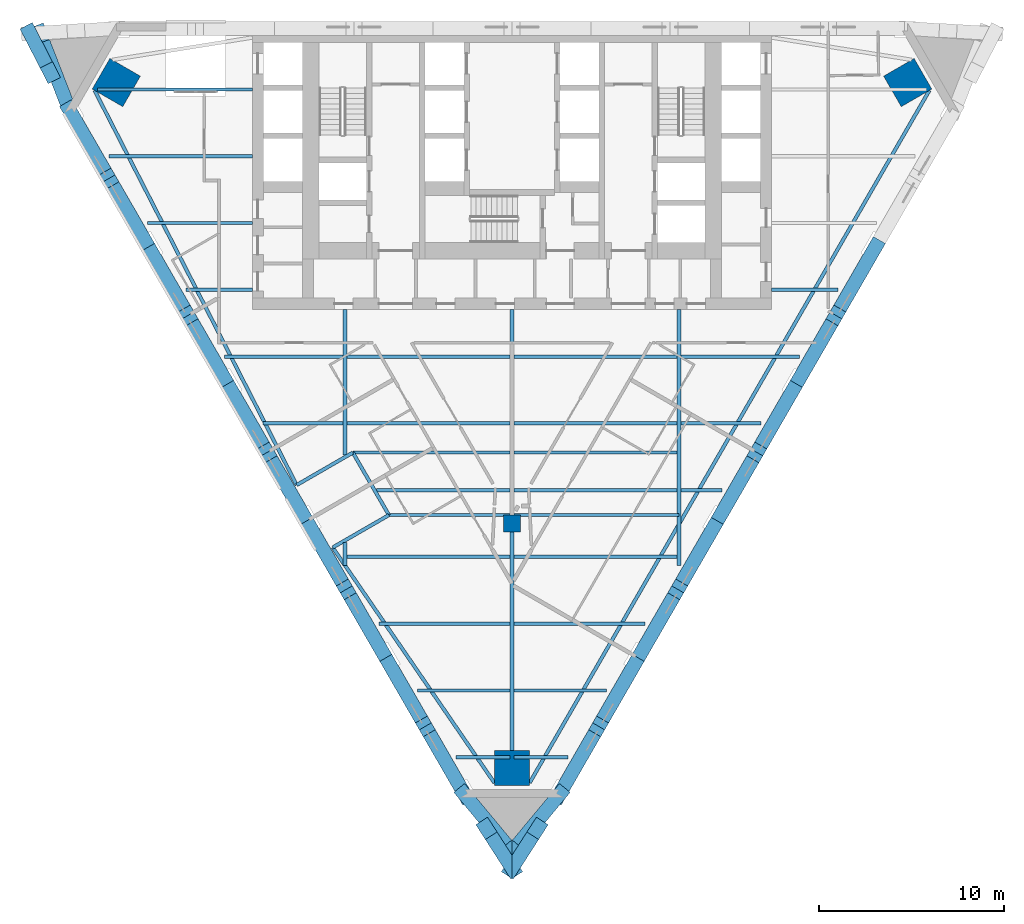
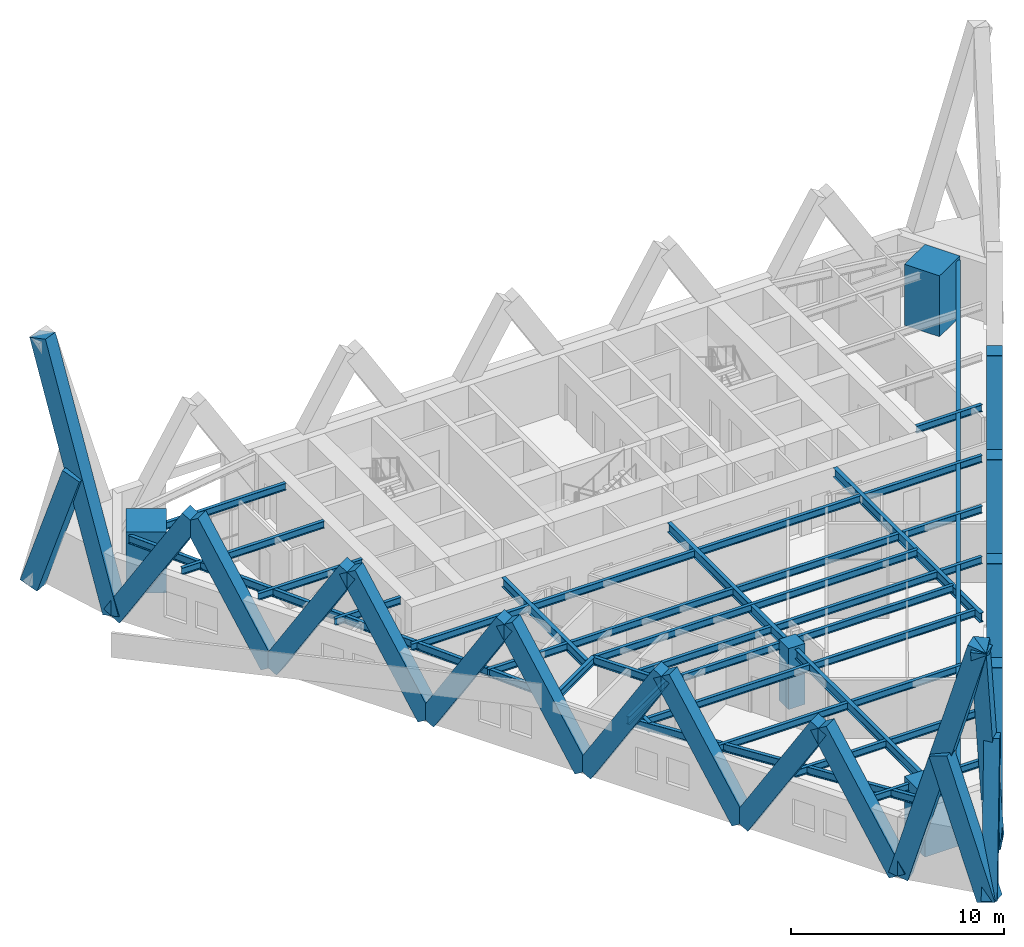
# One storey, part 1 of 11: 37 beams, 24 members, 4 columns.
"""IFC4 building model written with IfcOpenShell, lengths in metres."""

from ifc_helpers import new_model, si_unit, direction, frame, origin, origin_2d, place, context, subcontext, project, spatial, rectangle, i_section, extrude, material, material_profile, profile_set, type_object, element, save


model = new_model("IFC4")

# Units and contexts
model_context = context("Model", 3, precision=1e-05, world=origin(), true_north=direction((0.0, 1.0)))
body_context = subcontext(model_context, "Body", "Model", "MODEL_VIEW")
ifc_project = project(units=[si_unit("LENGTHUNIT", "METRE"), si_unit("AREAUNIT", "SQUARE_METRE"), si_unit("VOLUMEUNIT", "CUBIC_METRE"), si_unit("PLANEANGLEUNIT", "RADIAN"), si_unit("MASSUNIT", "GRAM", prefix="KILO")], contexts=[model_context])

# Site, building, storey
site_placement = place(None, origin())
site = spatial("IfcSite", under=ifc_project, at=site_placement, CompositionType="ELEMENT")
building_placement = place(site_placement, origin())
building = spatial("IfcBuilding", under=site, at=building_placement, Name="Aloe Facet Convention Tower", CompositionType="ELEMENT")
storey_placement = place(building_placement, frame((0.0, 0.0, 95.800048828125)))
storey = spatial("IfcBuildingStorey", under=building, at=storey_placement, Name="L23", CompositionType="ELEMENT", Elevation=95.800048828125)

# Columns
ifc_material_1 = material(Name="Concrete C70/85", Category="concrete")
ifc_material_profile_1 = material_profile(ifc_material_1, rectangle(XDim=0.89990234375, YDim=0.89990234375, at=origin_2d()), Name="SF-GC-Z2")
ifc_profile_set_1 = profile_set([ifc_material_profile_1], Name="Concrete C70/85")
column_type_1 = type_object("IfcColumnType", Name="SF-GC-Z2", PredefinedType="COLUMN", material=ifc_profile_set_1)
column_placement = place(storey_placement, frame((80.0, 108.0, 0.0), z_axis=(0.0, 0.0, 1.0), x_axis=(1.0, 0.0, 0.0)))
element("IfcColumn", 1, at=column_placement, inside=storey, type_object=column_type_1, Name="Gravity column GC-Z2-9D", PredefinedType="COLUMN", context=body_context, shape_type="SweptSolid", body=[
    extrude(rectangle(XDim=0.89990234375, YDim=0.89990234375, at=origin_2d()), origin(), (0.0, 0.0, 1.0), 3.5),
])
ifc_material_2 = material(Name="Concrete C80/95", Category="concrete")
ifc_material_profile_2 = material_profile(ifc_material_2, rectangle(XDim=1.89990234375, YDim=1.89990234375, at=origin_2d()), Name="STW-MC-Z2")
ifc_profile_set_2 = profile_set([ifc_material_profile_2], Name="Concrete C80/95")
column_type_2 = type_object("IfcColumnType", Name="STW-MC-Z2", PredefinedType="COLUMN", material=ifc_profile_set_2)
for number, where, z_axis, x_axis, name in (
    (2, (101.3359375, 131.775146484375, 0.0), (0.0, 0.0, 1.0), (-0.5, 0.866025403784, 0.0), "Mega-column MC-NE-L23"),
    (3, (58.6640625, 131.775146484375, 0.0), (0.0, 0.0, 1.0), (-0.5, -0.866025403784, 0.0), "Mega-column MC-NW-L23"),
    (4, (80.0, 94.8203125, 0.0), (0.0, 0.0, 1.0), (1.0, 0.0, 0.0), "Mega-column MC-S-L23"),
):
    element("IfcColumn", number, at=place(storey_placement, frame(where, z_axis=z_axis, x_axis=x_axis)), inside=storey, type_object=column_type_2, Name=name, PredefinedType="COLUMN", context=body_context, shape_type="SweptSolid", body=[
        extrude(rectangle(XDim=1.89990234375, YDim=1.89990234375, at=origin_2d()), origin(), (0.0, 0.0, 1.0), 3.5),
    ])

# Beams
ifc_material_3 = material(Name="Steel S355", Category="steel")
ifc_material_profile_3 = material_profile(ifc_material_3, i_section(OverallWidth=0.177734375, OverallDepth=0.402587890625, WebThickness=0.0078125, FlangeThickness=0.010986328125, FilletRadius=0.01025390625, at=origin_2d()), Name="UB 406x178x54")
ifc_profile_set_3 = profile_set([ifc_material_profile_3], Name="Steel S355")
beam_type_1 = type_object("IfcBeamType", Name="SF-B-UB406x178x54", PredefinedType="BEAM", material=ifc_profile_set_3)
beam_1_placement = place(storey_placement, frame((57.6376953125, 131.39990234375, 3.148681640625), z_axis=(1.0, 0.0, 0.0), x_axis=(0.0, 1.0, 0.0)))
element("IfcBeam", 5, at=beam_1_placement, inside=storey, type_object=beam_type_1, Name="Floor beam FB-Z2E-014", PredefinedType="BEAM", context=body_context, shape_type="SweptSolid", body=[
    extrude(i_section(OverallWidth=0.177734375, OverallDepth=0.402587890625, WebThickness=0.0078125, FlangeThickness=0.010986328125, FilletRadius=0.01025390625, at=origin_2d()), origin(), (0.0, 0.0, 1.0), 8.3623046875),
])
beam_2_placement = place(storey_placement, frame((58.27294921875, 127.800048828125, 3.148681640625), z_axis=(1.0, 0.0, 0.0), x_axis=(0.0, 1.0, 0.0)))
element("IfcBeam", 6, at=beam_2_placement, inside=storey, type_object=beam_type_1, Name="Floor beam FB-Z2E-015", PredefinedType="BEAM", context=body_context, shape_type="SweptSolid", body=[
    extrude(i_section(OverallWidth=0.177734375, OverallDepth=0.402587890625, WebThickness=0.0078125, FlangeThickness=0.010986328125, FilletRadius=0.01025390625, at=origin_2d()), origin(), (0.0, 0.0, 1.0), 7.72705078125),
])
beam_3_placement = place(storey_placement, frame((60.351318359375, 124.199951171875, 3.148681640625), z_axis=(1.0, 0.0, 0.0), x_axis=(0.0, 1.0, 0.0)))
element("IfcBeam", 7, at=beam_3_placement, inside=storey, type_object=beam_type_1, Name="Floor beam FB-Z2E-016", PredefinedType="BEAM", context=body_context, shape_type="SweptSolid", body=[
    extrude(i_section(OverallWidth=0.177734375, OverallDepth=0.402587890625, WebThickness=0.0078125, FlangeThickness=0.010986328125, FilletRadius=0.01025390625, at=origin_2d()), origin(), (0.0, 0.0, 1.0), 5.648681640625),
])
beam_4_placement = place(storey_placement, frame((62.429931640625, 120.60009765625, 3.148681640625), z_axis=(1.0, 0.0, 0.0), x_axis=(0.0, 1.0, 0.0)))
element("IfcBeam", 8, at=beam_4_placement, inside=storey, type_object=beam_type_1, Name="Floor beam FB-Z2E-017", PredefinedType="BEAM", context=body_context, shape_type="SweptSolid", body=[
    extrude(i_section(OverallWidth=0.177734375, OverallDepth=0.402587890625, WebThickness=0.0078125, FlangeThickness=0.010986328125, FilletRadius=0.01025390625, at=origin_2d()), origin(), (0.0, 0.0, 1.0), 3.570068359375),
])
beam_5_placement = place(storey_placement, frame((64.50830078125, 117.0, 3.148681640625), z_axis=(1.0, 0.0, 0.0), x_axis=(0.0, 1.0, 0.0)))
element("IfcBeam", 9, at=beam_5_placement, inside=storey, type_object=beam_type_1, Name="Floor beam FB-Z2E-018", PredefinedType="BEAM", context=body_context, shape_type="SweptSolid", body=[
    extrude(i_section(OverallWidth=0.177734375, OverallDepth=0.402587890625, WebThickness=0.0078125, FlangeThickness=0.010986328125, FilletRadius=0.01025390625, at=origin_2d()), origin(), (0.0, 0.0, 1.0), 6.38623046875),
])
beam_6_placement = place(storey_placement, frame((66.5869140625, 113.39990234375, 3.148681640625), z_axis=(1.0, 0.0, 0.0), x_axis=(0.0, 1.0, 0.0)))
element("IfcBeam", 10, at=beam_6_placement, inside=storey, type_object=beam_type_1, Name="Floor beam FB-Z2E-019", PredefinedType="BEAM", context=body_context, shape_type="SweptSolid", body=[
    extrude(i_section(OverallWidth=0.177734375, OverallDepth=0.402587890625, WebThickness=0.0078125, FlangeThickness=0.010986328125, FilletRadius=0.01025390625, at=origin_2d()), origin(), (0.0, 0.0, 1.0), 4.3076171875),
])
for number, where, z_axis, x_axis, name in (
    (11, (71.10546875, 106.199951171875, 3.148681640625), (1.0, 0.0, 0.0), (0.0, 1.0, 0.0), "Floor beam FB-Z2E-020"),
    (12, (71.10546875, 113.39990234375, 3.148681640625), (1.0, 0.0, 0.0), (0.0, 1.0, 0.0), "Floor beam FB-Z2E-021"),
    (13, (71.10546875, 117.0, 3.148681640625), (1.0, 0.0, 0.0), (0.0, 1.0, 0.0), "Floor beam FB-Z2E-022"),
):
    element("IfcBeam", number, at=place(storey_placement, frame(where, z_axis=z_axis, x_axis=x_axis)), inside=storey, type_object=beam_type_1, Name=name, PredefinedType="BEAM", context=body_context, shape_type="SweptSolid", body=[
        extrude(i_section(OverallWidth=0.177734375, OverallDepth=0.402587890625, WebThickness=0.0078125, FlangeThickness=0.010986328125, FilletRadius=0.01025390625, at=origin_2d()), origin(), (0.0, 0.0, 1.0), 8.7890625),
    ])
beam_7_placement = place(storey_placement, frame((71.41845703125, 111.82421875, 3.148681640625), z_axis=(1.0, 0.0, 0.0), x_axis=(0.0, 1.0, 0.0)))
element("IfcBeam", 14, at=beam_7_placement, inside=storey, type_object=beam_type_1, Name="Floor beam FB-Z2E-023", PredefinedType="BEAM", context=body_context, shape_type="SweptSolid", body=[
    extrude(i_section(OverallWidth=0.177734375, OverallDepth=0.402587890625, WebThickness=0.0078125, FlangeThickness=0.010986328125, FilletRadius=0.01025390625, at=origin_2d()), origin(), (0.0, 0.0, 1.0), 17.58154296875),
])
beam_8_placement = place(storey_placement, frame((72.706787109375, 109.800048828125, 3.148681640625), z_axis=(1.0, 0.0, 0.0), x_axis=(0.0, 1.0, 0.0)))
element("IfcBeam", 15, at=beam_8_placement, inside=storey, type_object=beam_type_1, Name="Floor beam FB-Z2E-024", PredefinedType="BEAM", context=body_context, shape_type="SweptSolid", body=[
    extrude(i_section(OverallWidth=0.177734375, OverallDepth=0.402587890625, WebThickness=0.0078125, FlangeThickness=0.010986328125, FilletRadius=0.01025390625, at=origin_2d()), origin(), (0.0, 0.0, 1.0), 7.187744140625),
])
beam_9_placement = place(storey_placement, frame((72.822265625, 102.60009765625, 3.148681640625), z_axis=(1.0, 0.0, 0.0), x_axis=(0.0, 1.0, 0.0)))
element("IfcBeam", 16, at=beam_9_placement, inside=storey, type_object=beam_type_1, Name="Floor beam FB-Z2E-025", PredefinedType="BEAM", context=body_context, shape_type="SweptSolid", body=[
    extrude(i_section(OverallWidth=0.177734375, OverallDepth=0.402587890625, WebThickness=0.0078125, FlangeThickness=0.010986328125, FilletRadius=0.01025390625, at=origin_2d()), origin(), (0.0, 0.0, 1.0), 7.072265625),
])
beam_10_placement = place(storey_placement, frame((73.36328125, 108.455322265625, 3.148681640625), z_axis=(1.0, 0.0, 0.0), x_axis=(0.0, 1.0, 0.0)))
element("IfcBeam", 17, at=beam_10_placement, inside=storey, type_object=beam_type_1, Name="Floor beam FB-Z2E-026", PredefinedType="BEAM", context=body_context, shape_type="SweptSolid", body=[
    extrude(i_section(OverallWidth=0.177734375, OverallDepth=0.402587890625, WebThickness=0.0078125, FlangeThickness=0.010986328125, FilletRadius=0.01025390625, at=origin_2d()), origin(), (0.0, 0.0, 1.0), 15.63671875),
])
beam_11_placement = place(storey_placement, frame((74.900634765625, 99.0, 3.148681640625), z_axis=(1.0, 0.0, 0.0), x_axis=(0.0, 1.0, 0.0)))
element("IfcBeam", 18, at=beam_11_placement, inside=storey, type_object=beam_type_1, Name="Floor beam FB-Z2E-027", PredefinedType="BEAM", context=body_context, shape_type="SweptSolid", body=[
    extrude(i_section(OverallWidth=0.177734375, OverallDepth=0.402587890625, WebThickness=0.0078125, FlangeThickness=0.010986328125, FilletRadius=0.01025390625, at=origin_2d()), origin(), (0.0, 0.0, 1.0), 4.993896484375),
])
for number, where, z_axis, x_axis, name in (
    (19, (76.97900390625, 95.39990234375, 3.148681640625), (1.0, 0.0, 0.0), (0.0, 1.0, 0.0), "Floor beam FB-Z2E-028"),
    (20, (80.10546875, 95.39990234375, 3.148681640625), (1.0, 0.0, 0.0), (0.0, 1.0, 0.0), "Floor beam FB-Z2E-029"),
):
    element("IfcBeam", number, at=place(storey_placement, frame(where, z_axis=z_axis, x_axis=x_axis)), inside=storey, type_object=beam_type_1, Name=name, PredefinedType="BEAM", context=body_context, shape_type="SweptSolid", body=[
        extrude(i_section(OverallWidth=0.177734375, OverallDepth=0.402587890625, WebThickness=0.0078125, FlangeThickness=0.010986328125, FilletRadius=0.01025390625, at=origin_2d()), origin(), (0.0, 0.0, 1.0), 2.91552734375),
    ])
beam_12_placement = place(storey_placement, frame((80.10546875, 99.0, 3.148681640625), z_axis=(1.0, 0.0, 0.0), x_axis=(0.0, 1.0, 0.0)))
element("IfcBeam", 21, at=beam_12_placement, inside=storey, type_object=beam_type_1, Name="Floor beam FB-Z2E-030", PredefinedType="BEAM", context=body_context, shape_type="SweptSolid", body=[
    extrude(i_section(OverallWidth=0.177734375, OverallDepth=0.402587890625, WebThickness=0.0078125, FlangeThickness=0.010986328125, FilletRadius=0.01025390625, at=origin_2d()), origin(), (0.0, 0.0, 1.0), 4.993896484375),
])
beam_13_placement = place(storey_placement, frame((80.10546875, 102.60009765625, 3.148681640625), z_axis=(1.0, 0.0, 0.0), x_axis=(0.0, 1.0, 0.0)))
element("IfcBeam", 22, at=beam_13_placement, inside=storey, type_object=beam_type_1, Name="Floor beam FB-Z2E-031", PredefinedType="BEAM", context=body_context, shape_type="SweptSolid", body=[
    extrude(i_section(OverallWidth=0.177734375, OverallDepth=0.402587890625, WebThickness=0.0078125, FlangeThickness=0.010986328125, FilletRadius=0.01025390625, at=origin_2d()), origin(), (0.0, 0.0, 1.0), 7.072265625),
])
for number, where, z_axis, x_axis, name in (
    (23, (80.10546875, 106.199951171875, 3.148681640625), (1.0, 0.0, 0.0), (0.0, 1.0, 0.0), "Floor beam FB-Z2E-032"),
    (24, (80.10546875, 109.800048828125, 3.148681640625), (1.0, 0.0, 0.0), (0.0, 1.0, 0.0), "Floor beam FB-Z2E-033"),
    (25, (80.10546875, 113.39990234375, 3.148681640625), (1.0, 0.0, 0.0), (0.0, 1.0, 0.0), "Floor beam FB-Z2E-034"),
    (26, (80.10546875, 117.0, 3.148681640625), (1.0, 0.0, 0.0), (0.0, 1.0, 0.0), "Floor beam FB-Z2E-035"),
):
    element("IfcBeam", number, at=place(storey_placement, frame(where, z_axis=z_axis, x_axis=x_axis)), inside=storey, type_object=beam_type_1, Name=name, PredefinedType="BEAM", context=body_context, shape_type="SweptSolid", body=[
        extrude(i_section(OverallWidth=0.177734375, OverallDepth=0.402587890625, WebThickness=0.0078125, FlangeThickness=0.010986328125, FilletRadius=0.01025390625, at=origin_2d()), origin(), (0.0, 0.0, 1.0), 8.7890625),
    ])
beam_14_placement = place(storey_placement, frame((89.10546875, 109.800048828125, 3.148681640625), z_axis=(1.0, 0.0, 0.0), x_axis=(0.0, 1.0, 0.0)))
element("IfcBeam", 27, at=beam_14_placement, inside=storey, type_object=beam_type_1, Name="Floor beam FB-Z2E-036", PredefinedType="BEAM", context=body_context, shape_type="SweptSolid", body=[
    extrude(i_section(OverallWidth=0.177734375, OverallDepth=0.402587890625, WebThickness=0.0078125, FlangeThickness=0.010986328125, FilletRadius=0.01025390625, at=origin_2d()), origin(), (0.0, 0.0, 1.0), 2.229248046875),
])
beam_15_placement = place(storey_placement, frame((89.10546875, 113.39990234375, 3.148681640625), z_axis=(1.0, 0.0, 0.0), x_axis=(0.0, 1.0, 0.0)))
element("IfcBeam", 28, at=beam_15_placement, inside=storey, type_object=beam_type_1, Name="Floor beam FB-Z2E-037", PredefinedType="BEAM", context=body_context, shape_type="SweptSolid", body=[
    extrude(i_section(OverallWidth=0.177734375, OverallDepth=0.402587890625, WebThickness=0.0078125, FlangeThickness=0.010986328125, FilletRadius=0.01025390625, at=origin_2d()), origin(), (0.0, 0.0, 1.0), 4.3076171875),
])
beam_16_placement = place(storey_placement, frame((89.10546875, 117.0, 3.148681640625), z_axis=(1.0, 0.0, 0.0), x_axis=(0.0, 1.0, 0.0)))
element("IfcBeam", 29, at=beam_16_placement, inside=storey, type_object=beam_type_1, Name="Floor beam FB-Z2E-038", PredefinedType="BEAM", context=body_context, shape_type="SweptSolid", body=[
    extrude(i_section(OverallWidth=0.177734375, OverallDepth=0.402587890625, WebThickness=0.0078125, FlangeThickness=0.010986328125, FilletRadius=0.01025390625, at=origin_2d()), origin(), (0.0, 0.0, 1.0), 6.38623046875),
])
beam_17_placement = place(storey_placement, frame((94.0, 120.60009765625, 3.148681640625), z_axis=(1.0, 0.0, 0.0), x_axis=(0.0, 1.0, 0.0)))
element("IfcBeam", 30, at=beam_17_placement, inside=storey, type_object=beam_type_1, Name="Floor beam FB-Z2E-039", PredefinedType="BEAM", context=body_context, shape_type="SweptSolid", body=[
    extrude(i_section(OverallWidth=0.177734375, OverallDepth=0.402587890625, WebThickness=0.0078125, FlangeThickness=0.010986328125, FilletRadius=0.01025390625, at=origin_2d()), origin(), (0.0, 0.0, 1.0), 3.570068359375),
])
ifc_material_4 = material(Name="Steel S355", Category="steel")
ifc_material_profile_4 = material_profile(ifc_material_4, i_section(OverallWidth=0.18994140625, OverallDepth=0.453369140625, WebThickness=0.008544921875, FlangeThickness=0.0126953125, FilletRadius=0.01025390625, at=origin_2d()), Name="UB 457x191x67")
ifc_profile_set_4 = profile_set([ifc_material_profile_4], Name="Steel S355")
beam_type_2 = type_object("IfcBeamType", Name="SF-B-UB457x191x67", PredefinedType="BEAM", material=ifc_profile_set_4)
beam_18_placement = place(storey_placement, frame((68.387451171875, 110.07421875, 3.123291015625), z_axis=(-0.45573025234, 0.890117934379, 0.0), x_axis=(-0.890117934379, -0.45573025234, 0.0)))
element("IfcBeam", 31, at=beam_18_placement, inside=storey, type_object=beam_type_2, Name="Floor beam FB-Z2E-002", PredefinedType="BEAM", context=body_context, shape_type="SweptSolid", body=[
    extrude(i_section(OverallWidth=0.18994140625, OverallDepth=0.453369140625, WebThickness=0.008544921875, FlangeThickness=0.0126953125, FilletRadius=0.01025390625, at=origin_2d()), origin(), (0.0, 0.0, 1.0), 23.90771484375),
])
beam_19_placement = place(storey_placement, frame((70.332275390625, 106.705322265625, 3.123291015625), z_axis=(0.866019471182, 0.500010275428, 0.0), x_axis=(-0.500010275428, 0.866019471182, 0.0)))
element("IfcBeam", 32, at=beam_19_placement, inside=storey, type_object=beam_type_2, Name="Floor beam FB-Z2E-003", PredefinedType="BEAM", context=body_context, shape_type="SweptSolid", body=[
    extrude(i_section(OverallWidth=0.18994140625, OverallDepth=0.453369140625, WebThickness=0.008544921875, FlangeThickness=0.0126953125, FilletRadius=0.01025390625, at=origin_2d()), origin(), (0.0, 0.0, 1.0), 3.5),
])
beam_20_placement = place(storey_placement, frame((70.332275390625, 106.705322265625, 3.123291015625), z_axis=(0.566231998303, -0.824245912394, 0.0), x_axis=(0.824245912394, 0.566231998303, 0.0)))
element("IfcBeam", 33, at=beam_20_placement, inside=storey, type_object=beam_type_2, Name="Floor beam FB-Z2E-004", PredefinedType="BEAM", context=body_context, shape_type="SweptSolid", body=[
    extrude(i_section(OverallWidth=0.18994140625, OverallDepth=0.453369140625, WebThickness=0.008544921875, FlangeThickness=0.0126953125, FilletRadius=0.01025390625, at=origin_2d()), origin(), (0.0, 0.0, 1.0), 15.39599609375),
])
beam_21_placement = place(storey_placement, frame((71.41845703125, 111.82421875, 3.123291015625), z_axis=(-0.866019471182, -0.500010275428, 0.0), x_axis=(0.500010275428, -0.866019471182, 0.0)))
element("IfcBeam", 34, at=beam_21_placement, inside=storey, type_object=beam_type_2, Name="Floor beam FB-Z2E-005", PredefinedType="BEAM", context=body_context, shape_type="SweptSolid", body=[
    extrude(i_section(OverallWidth=0.18994140625, OverallDepth=0.453369140625, WebThickness=0.008544921875, FlangeThickness=0.0126953125, FilletRadius=0.01025390625, at=origin_2d()), origin(), (0.0, 0.0, 1.0), 3.5),
])
beam_22_placement = place(storey_placement, frame((73.36328125, 108.455322265625, 3.123291015625), z_axis=(-0.499959689288, 0.866048675934, 0.0), x_axis=(-0.866048675934, -0.499959689288, 0.0)))
element("IfcBeam", 35, at=beam_22_placement, inside=storey, type_object=beam_type_2, Name="Floor beam FB-Z2E-006", PredefinedType="BEAM", context=body_context, shape_type="SweptSolid", body=[
    extrude(i_section(OverallWidth=0.18994140625, OverallDepth=0.453369140625, WebThickness=0.008544921875, FlangeThickness=0.0126953125, FilletRadius=0.01025390625, at=origin_2d()), origin(), (0.0, 0.0, 1.0), 3.889892578125),
])
beam_23_placement = place(storey_placement, frame((102.508056640625, 131.35498046875, 3.123291015625), z_axis=(-0.499998897659, -0.86602604022, 0.0), x_axis=(0.86602604022, -0.499998897659, 0.0)))
element("IfcBeam", 36, at=beam_23_placement, inside=storey, type_object=beam_type_2, Name="Floor beam FB-Z2E-008", PredefinedType="BEAM", context=body_context, shape_type="SweptSolid", body=[
    extrude(i_section(OverallWidth=0.18994140625, OverallDepth=0.453369140625, WebThickness=0.008544921875, FlangeThickness=0.0126953125, FilletRadius=0.01025390625, at=origin_2d()), origin(), (0.0, 0.0, 1.0), 43.1162109375),
])
ifc_material_5 = material(Name="Steel S355", Category="steel")
ifc_material_profile_5 = material_profile(ifc_material_5, i_section(OverallWidth=0.210693359375, OverallDepth=0.53955078125, WebThickness=0.01171875, FlangeThickness=0.018798828125, FilletRadius=0.0126953125, at=origin_2d()), Name="UB 533x210x109")
ifc_profile_set_5 = profile_set([ifc_material_profile_5], Name="Steel S355")
beam_type_3 = type_object("IfcBeamType", Name="SF-B-UB533x210x109", PredefinedType="BEAM", material=ifc_profile_set_5)
beam_24_placement = place(storey_placement, frame((71.0, 106.97119140625, 3.080078125), z_axis=(0.0, -1.0, 0.0), x_axis=(1.0, 0.0, 0.0)))
element("IfcBeam", 37, at=beam_24_placement, inside=storey, type_object=beam_type_3, Name="Floor beam FB-Z2E-009", PredefinedType="BEAM", context=body_context, shape_type="SweptSolid", body=[
    extrude(i_section(OverallWidth=0.210693359375, OverallDepth=0.53955078125, WebThickness=0.01171875, FlangeThickness=0.018798828125, FilletRadius=0.0126953125, at=origin_2d()), origin(), (0.0, 0.0, 1.0), 1.222412109375),
])
beam_25_placement = place(storey_placement, frame((71.0, 119.550048828125, 3.080078125), z_axis=(0.0, -1.0, 0.0), x_axis=(1.0, 0.0, 0.0)))
element("IfcBeam", 38, at=beam_25_placement, inside=storey, type_object=beam_type_3, Name="Floor beam FB-Z2E-010", PredefinedType="BEAM", context=body_context, shape_type="SweptSolid", body=[
    extrude(i_section(OverallWidth=0.210693359375, OverallDepth=0.53955078125, WebThickness=0.01171875, FlangeThickness=0.018798828125, FilletRadius=0.0126953125, at=origin_2d()), origin(), (0.0, 0.0, 1.0), 7.847900390625),
])
beam_26_placement = place(storey_placement, frame((80.0, 107.550048828125, 3.080078125), z_axis=(0.0, -1.0, 0.0), x_axis=(1.0, 0.0, 0.0)))
element("IfcBeam", 39, at=beam_26_placement, inside=storey, type_object=beam_type_3, Name="Floor beam FB-Z2E-011", PredefinedType="BEAM", context=body_context, shape_type="SweptSolid", body=[
    extrude(i_section(OverallWidth=0.210693359375, OverallDepth=0.53955078125, WebThickness=0.01171875, FlangeThickness=0.018798828125, FilletRadius=0.0126953125, at=origin_2d()), origin(), (0.0, 0.0, 1.0), 13.429931640625),
])
beam_27_placement = place(storey_placement, frame((80.0, 119.550048828125, 3.080078125), z_axis=(0.0, -1.0, 0.0), x_axis=(1.0, 0.0, 0.0)))
element("IfcBeam", 40, at=beam_27_placement, inside=storey, type_object=beam_type_3, Name="Floor beam FB-Z2E-012", PredefinedType="BEAM", context=body_context, shape_type="SweptSolid", body=[
    extrude(i_section(OverallWidth=0.210693359375, OverallDepth=0.53955078125, WebThickness=0.01171875, FlangeThickness=0.018798828125, FilletRadius=0.0126953125, at=origin_2d()), origin(), (0.0, 0.0, 1.0), 11.10009765625),
])
beam_28_placement = place(storey_placement, frame((89.0, 119.550048828125, 3.080078125), z_axis=(0.0, -1.0, 0.0), x_axis=(1.0, 0.0, 0.0)))
element("IfcBeam", 41, at=beam_28_placement, inside=storey, type_object=beam_type_3, Name="Floor beam FB-Z2E-013", PredefinedType="BEAM", context=body_context, shape_type="SweptSolid", body=[
    extrude(i_section(OverallWidth=0.210693359375, OverallDepth=0.53955078125, WebThickness=0.01171875, FlangeThickness=0.018798828125, FilletRadius=0.0126953125, at=origin_2d()), origin(), (0.0, 0.0, 1.0), 13.80126953125),
])

# Members
ifc_material_6 = material(Name="Concrete C60/75, bronze oxide finish", Category="concrete")
ifc_material_profile_6 = material_profile(ifc_material_6, rectangle(XDim=0.75, YDim=1.0, at=origin_2d()), Name="STW-LM")
ifc_profile_set_6 = profile_set([ifc_material_profile_6], Name="Concrete C60/75, bronze oxide finish")
member_type = type_object("IfcMemberType", Name="STW-LM", PredefinedType="BRACE", material=ifc_profile_set_6)
member_1_placement = place(storey_placement, frame((56.13818359375, 130.30029296875, 0.0), z_axis=(0.260144200438, -0.450561177013, 0.854002119873), x_axis=(0.866014930446, 0.500018139916, 0.0)))
element("IfcMember", 42, at=member_1_placement, inside=storey, type_object=member_type, Name="Lattice member LM-Z2-F2-R2-01", PredefinedType="BRACE", context=body_context, shape_type="SweptSolid", body=[
    extrude(rectangle(XDim=0.75, YDim=1.0, at=origin_2d()), origin(), (0.0, 0.0, 1.0), 8.19677734375),
])
for number, where, z_axis, x_axis, name in (
    (43, (60.402587890625, 122.914306640625, 0.0), (-0.26011992139, 0.45054092877, 0.854020197653), (-0.866025408043, -0.499999992624, 0.0), "Lattice member LM-Z2-F2-R2-02"),
    (44, (60.402587890625, 122.914306640625, 0.0), (0.260116430601, -0.450564668007, 0.854008736768), (0.866039720501, 0.4999752019, 0.0), "Lattice member LM-Z2-F2-R2-03"),
    (45, (64.6669921875, 115.5283203125, 0.0), (-0.260147691546, 0.450537437867, 0.854013580491), (-0.866000615939, -0.500042931351, 0.0), "Lattice member LM-Z2-F2-R2-04"),
    (46, (64.6669921875, 115.5283203125, 0.0), (0.260116430601, -0.450564668007, 0.854008736768), (0.866039720501, 0.4999752019, 0.0), "Lattice member LM-Z2-F2-R2-05"),
    (47, (68.93115234375, 108.142333984375, 0.0), (-0.26011992139, 0.45054092877, 0.854020197653), (-0.866025408043, -0.499999992624, 0.0), "Lattice member LM-Z2-F2-R2-06"),
    (48, (68.93115234375, 108.142333984375, 0.0), (0.260116430601, -0.450564668007, 0.854008736768), (0.866039720501, 0.4999752019, 0.0), "Lattice member LM-Z2-F2-R2-07"),
    (49, (73.195556640625, 100.75634765625, 0.0), (-0.260147691546, 0.450537437867, 0.854013580491), (-0.866000615939, -0.500042931351, 0.0), "Lattice member LM-Z2-F2-R2-08"),
    (50, (73.195556640625, 100.75634765625, 0.0), (0.260116430601, -0.450564668007, 0.854008736768), (0.866039720501, 0.4999752019, 0.0), "Lattice member LM-Z2-F2-R2-09"),
    (51, (77.459716796875, 93.370361328125, 0.0), (-0.26011992139, 0.45054092877, 0.854020197653), (-0.866025408043, -0.499999992624, 0.0), "Lattice member LM-Z2-F2-R2-10"),
    (52, (82.540283203125, 93.370361328125, 0.0), (0.26011992139, 0.45054092877, 0.854020197653), (-0.866025408043, 0.499999992624, 0.0), "Lattice member LM-Z2-F3-R2-01"),
    (53, (86.804443359375, 100.75634765625, 0.0), (-0.260116430601, -0.450564668007, 0.854008736768), (0.866039720501, -0.4999752019, 0.0), "Lattice member LM-Z2-F3-R2-02"),
    (54, (86.804443359375, 100.75634765625, 0.0), (0.260147691546, 0.450537437867, 0.854013580491), (-0.866000615939, 0.500042931351, 0.0), "Lattice member LM-Z2-F3-R2-03"),
    (55, (91.06884765625, 108.142333984375, 0.0), (-0.260116430601, -0.450564668007, 0.854008736768), (0.866039720501, -0.4999752019, 0.0), "Lattice member LM-Z2-F3-R2-04"),
    (56, (91.06884765625, 108.142333984375, 0.0), (0.26011992139, 0.45054092877, 0.854020197653), (-0.866025408043, 0.499999992624, 0.0), "Lattice member LM-Z2-F3-R2-05"),
    (57, (95.3330078125, 115.5283203125, 0.0), (-0.260116430601, -0.450564668007, 0.854008736768), (0.866039720501, -0.4999752019, 0.0), "Lattice member LM-Z2-F3-R2-06"),
    (58, (95.3330078125, 115.5283203125, 0.0), (0.260147691546, 0.450537437867, 0.854013580491), (-0.866000615939, 0.500042931351, 0.0), "Lattice member LM-Z2-F3-R2-07"),
    (59, (99.597412109375, 122.914306640625, 0.0), (-0.260116430601, -0.450564668007, 0.854008736768), (0.866039720501, -0.4999752019, 0.0), "Lattice member LM-Z2-F3-R2-08"),
):
    element("IfcMember", number, at=place(storey_placement, frame(where, z_axis=z_axis, x_axis=x_axis)), inside=storey, type_object=member_type, Name=name, PredefinedType="BRACE", context=body_context, shape_type="SweptSolid", body=[
        extrude(rectangle(XDim=0.75, YDim=1.0, at=origin_2d()), origin(), (0.0, 0.0, 1.0), 8.196533203125),
    ])
member_2_placement = place(storey_placement, frame((56.13818359375, 130.30029296875, 0.0), z_axis=(-0.108632361951, 0.280038959701, 0.953822410613), x_axis=(-0.932309873243, -0.361660476488, 0.0)))
element("IfcMember", 60, at=member_2_placement, inside=storey, type_object=member_type, Name="Lattice member LM-Z2-F4-R2-03", PredefinedType="BRACE", context=body_context, shape_type="SweptSolid", body=[
    extrude(rectangle(XDim=0.75, YDim=1.0, at=origin_2d()), origin(), (0.0, 0.0, 1.0), 14.677734375),
])
member_3_placement = place(storey_placement, frame((54.021484375, 134.416748046875, 0.0), z_axis=(0.143548367606, -0.279179276846, 0.949448680834), x_axis=(0.889326078911, 0.457273578253, 0.0)))
element("IfcMember", 61, at=member_3_placement, inside=storey, type_object=member_type, Name="Lattice member LM-Z2-F4-R2-04", PredefinedType="BRACE", context=body_context, shape_type="SweptSolid", body=[
    extrude(rectangle(XDim=0.75, YDim=1.0, at=origin_2d()), origin(), (0.0, 0.0, 1.0), 7.5546875),
])
member_4_placement = place(storey_placement, frame((77.459716796875, 93.370361328125, 0.0), z_axis=(0.174562395266, -0.209743302798, 0.962047668824), x_axis=(0.768624275502, 0.639700494848, 0.0)))
element("IfcMember", 62, at=member_4_placement, inside=storey, type_object=member_type, Name="Lattice member LM-Z2-F5-R2-01", PredefinedType="BRACE", context=body_context, shape_type="SweptSolid", body=[
    extrude(rectangle(XDim=0.75, YDim=1.0, at=origin_2d()), origin(), (0.0, 0.0, 1.0), 14.55224609375),
])
member_5_placement = place(storey_placement, frame((80.0, 89.420654296875, 0.0), z_axis=(-0.172031679461, 0.267486236581, 0.948080278511), x_axis=(-0.841069411326, -0.540927208903, 0.0)))
element("IfcMember", 63, at=member_5_placement, inside=storey, type_object=member_type, Name="Lattice member LM-Z2-F5-R2-02", PredefinedType="BRACE", context=body_context, shape_type="SweptSolid", body=[
    extrude(rectangle(XDim=0.75, YDim=1.0, at=origin_2d()), origin(), (0.0, 0.0, 1.0), 8.00537109375),
])
member_6_placement = place(storey_placement, frame((82.540283203125, 93.370361328125, 0.0), z_axis=(-0.174562395266, -0.209743302798, 0.962047668824), x_axis=(0.768624275502, -0.639700494848, 0.0)))
element("IfcMember", 64, at=member_6_placement, inside=storey, type_object=member_type, Name="Lattice member LM-Z2-F5-R2-03", PredefinedType="BRACE", context=body_context, shape_type="SweptSolid", body=[
    extrude(rectangle(XDim=0.75, YDim=1.0, at=origin_2d()), origin(), (0.0, 0.0, 1.0), 14.55224609375),
])
member_7_placement = place(storey_placement, frame((80.0, 89.420654296875, 0.0), z_axis=(0.172031679461, 0.267486236581, 0.948080278511), x_axis=(-0.841069411326, 0.540927208903, 0.0)))
element("IfcMember", 65, at=member_7_placement, inside=storey, type_object=member_type, Name="Lattice member LM-Z2-F5-R2-04", PredefinedType="BRACE", context=body_context, shape_type="SweptSolid", body=[
    extrude(rectangle(XDim=0.75, YDim=1.0, at=origin_2d()), origin(), (0.0, 0.0, 1.0), 8.00537109375),
])

save(model, "model.ifc")
